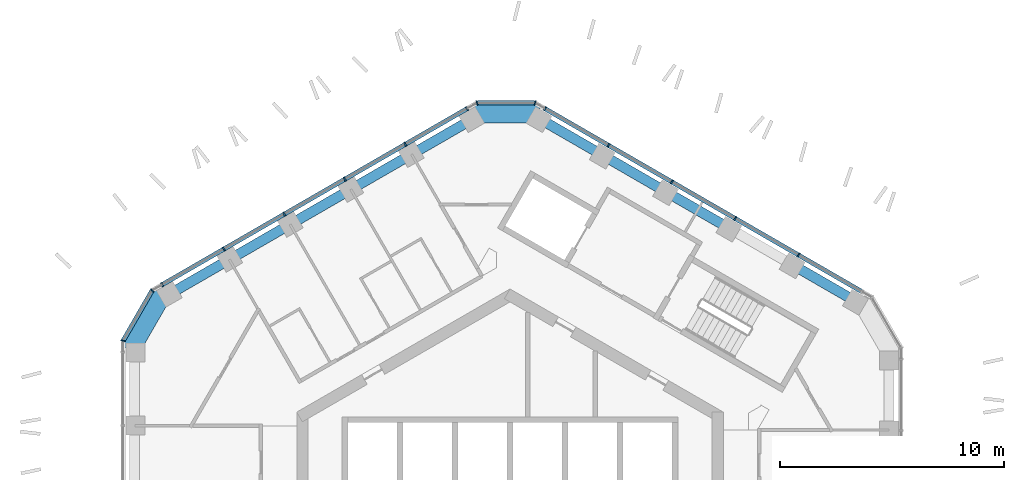
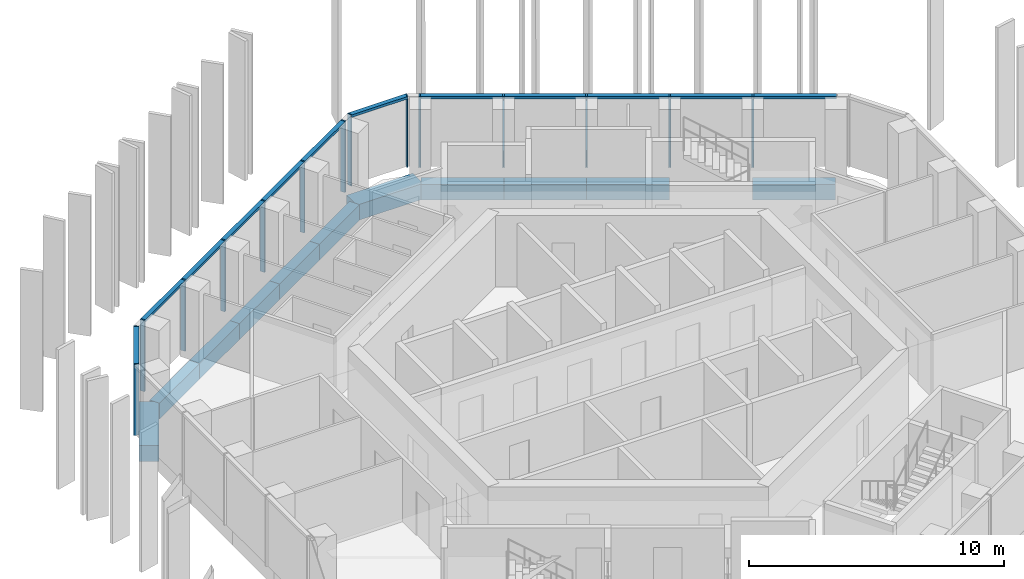
# One storey, part 5 of 18: 19 members, 11 beams, 4 elements without a shape of their own.
"""IFC4 building model written with IfcOpenShell, lengths in metres."""

from ifc_helpers import new_model, si_unit, direction, frame, origin, origin_2d, place, context, subcontext, project, spatial, rectangle, extrude, material, layer, layer_set, material_profile, profile_set, type_object, element, aggregate, save


model = new_model("IFC4")

# Units and contexts
model_context = context("Model", 3, precision=1e-05, world=origin(), true_north=direction((0.0, 1.0)))
body_context = subcontext(model_context, "Body", "Model", "MODEL_VIEW")
ifc_project = project(units=[si_unit("LENGTHUNIT", "METRE"), si_unit("AREAUNIT", "SQUARE_METRE"), si_unit("VOLUMEUNIT", "CUBIC_METRE"), si_unit("PLANEANGLEUNIT", "RADIAN"), si_unit("MASSUNIT", "GRAM", prefix="KILO")], contexts=[model_context])

# Site, building, storey
site_placement = place(None, origin())
site = spatial("IfcSite", under=ifc_project, at=site_placement, CompositionType="ELEMENT")
building_placement = place(site_placement, origin())
building = spatial("IfcBuilding", under=site, at=building_placement, Name="Ayvan Gate Tower", CompositionType="ELEMENT")
storey_placement = place(building_placement, frame((0.0, 0.0, 229.10009765625)))
storey = spatial("IfcBuildingStorey", under=building, at=storey_placement, Name="L61", CompositionType="ELEMENT", Elevation=229.10009765625)

# Beams
ifc_material_1 = material(Name="Concrete C40/50", Category="concrete")
ifc_material_profile_1 = material_profile(ifc_material_1, rectangle(XDim=0.800048828125, YDim=0.75, at=origin_2d()), Name="RC 800x750")
ifc_profile_set_1 = profile_set([ifc_material_profile_1], Name="Concrete C40/50")
beam_type_1 = type_object("IfcBeamType", Name="Corner spandrel beam RC 800x750 C40/50", PredefinedType="BEAM", material=ifc_profile_set_1)
for number, where, z_axis, x_axis, name in (
    (1, (1.334716796875, 18.758544921875, -0.72509765625), (-1.0, 0.0, 0.0), (0.0, -1.0, 0.0), "SB-L61-12"),
    (2, (-15.41259765625, 10.821533203125, -0.72509765625), (-0.499990139034, -0.866031096941, 0.0), (0.866031096941, -0.499990139034, 0.0), "SB-L61-18"),
):
    element("IfcBeam", number, at=place(storey_placement, frame(where, z_axis=z_axis, x_axis=x_axis)), inside=storey, type_object=beam_type_1, Name=name, PredefinedType="BEAM", context=body_context, shape_type="SweptSolid", body=[
        extrude(rectangle(XDim=0.800048828125, YDim=0.75, at=origin_2d()), origin(), (0.0, 0.0, 1.0), 3.0),
    ])
ifc_material_profile_2 = material_profile(ifc_material_1, rectangle(XDim=0.449951171875, YDim=0.75, at=origin_2d()), Name="RC 450x750")
ifc_profile_set_2 = profile_set([ifc_material_profile_2], Name="Concrete C40/50")
beam_type_2 = type_object("IfcBeamType", Name="Spandrel beam RC 450x750 C40/50", PredefinedType="BEAM", material=ifc_profile_set_2)
for number, where, z_axis, x_axis, name in (
    (3, (15.387451171875, 10.425048828125, -0.72509765625), (-0.866007692701, 0.500030675242, 0.0), (-0.500030675242, -0.866007692701, 0.0), "SB-L61-7"),
    (4, (9.766357421875, 13.67041015625, -0.72509765625), (-0.866007692701, 0.500030675242, 0.0), (-0.500030675242, -0.866007692701, 0.0), "SB-L61-9"),
    (5, (6.955810546875, 15.293212890625, -0.72509765625), (-0.866040267459, 0.499974254476, 0.0), (-0.499974254476, -0.866040267459, 0.0), "SB-L61-10"),
    (6, (4.145263671875, 16.915771484375, -0.72509765625), (-0.866007692701, 0.500030675242, 0.0), (-0.500030675242, -0.866007692701, 0.0), "SB-L61-11"),
):
    element("IfcBeam", number, at=place(storey_placement, frame(where, z_axis=z_axis, x_axis=x_axis)), inside=storey, type_object=beam_type_2, Name=name, PredefinedType="BEAM", context=body_context, shape_type="SweptSolid", body=[
        extrude(rectangle(XDim=0.449951171875, YDim=0.75, at=origin_2d()), origin(), (0.0, 0.0, 1.0), 3.245361328125),
    ])
for number, where, z_axis, x_axis, name in (
    (7, (-1.665283203125, 18.53857421875, -0.72509765625), (-0.866027162616, -0.499996953601, 0.0), (0.499996953601, -0.866027162616, 0.0), "SB-L61-13"),
    (8, (-4.376708984375, 16.97314453125, -0.72509765625), (-0.866027162616, -0.499996953601, 0.0), (0.499996953601, -0.866027162616, 0.0), "SB-L61-14"),
):
    element("IfcBeam", number, at=place(storey_placement, frame(where, z_axis=z_axis, x_axis=x_axis)), inside=storey, type_object=beam_type_2, Name=name, PredefinedType="BEAM", context=body_context, shape_type="SweptSolid", body=[
        extrude(rectangle(XDim=0.449951171875, YDim=0.75, at=origin_2d()), origin(), (0.0, 0.0, 1.0), 3.130859375),
    ])
beam_placement = place(storey_placement, frame((-7.088134765625, 15.40771484375, -0.72509765625), z_axis=(-0.8660076663, -0.500030720965, 0.0), x_axis=(0.500030720965, -0.8660076663, 0.0)))
element("IfcBeam", 9, at=beam_placement, inside=storey, type_object=beam_type_2, Name="SB-L61-15", PredefinedType="BEAM", context=body_context, shape_type="SweptSolid", body=[
    extrude(rectangle(XDim=0.449951171875, YDim=0.75, at=origin_2d()), origin(), (0.0, 0.0, 1.0), 3.130615234375),
])
for number, where, z_axis, x_axis, name in (
    (10, (-9.79931640625, 13.84228515625, -0.72509765625), (-0.866027162616, -0.499996953601, 0.0), (0.499996953601, -0.866027162616, 0.0), "SB-L61-16"),
    (11, (-12.5107421875, 12.27685546875, -0.72509765625), (-0.866027162616, -0.499996953601, 0.0), (0.499996953601, -0.866027162616, 0.0), "SB-L61-17"),
):
    element("IfcBeam", number, at=place(storey_placement, frame(where, z_axis=z_axis, x_axis=x_axis)), inside=storey, type_object=beam_type_2, Name=name, PredefinedType="BEAM", context=body_context, shape_type="SweptSolid", body=[
        extrude(rectangle(XDim=0.449951171875, YDim=0.75, at=origin_2d()), origin(), (0.0, 0.0, 1.0), 3.130859375),
    ])

# Curtain wall, members
ifc_material_2 = material(Name="Bronze anodised aluminium", Category="aluminium")
ifc_layer_1 = layer(ifc_material_2, 0.199951171875)
ifc_layer_set_1 = layer_set([ifc_layer_1], Name="Bronze anodised aluminium")
curtain_wall_type_1 = type_object("IfcCurtainWallType", Name="Stick curtain wall CW-2", PredefinedType="NOTDEFINED", material=ifc_layer_set_1)
curtain_wall_1_placement = place(storey_placement, origin())
curtain_wall_1 = element("IfcCurtainWall", 12, at=curtain_wall_1_placement, inside=storey, type_object=curtain_wall_type_1, Name="Stick curtain wall CW-2 L61", PredefinedType="NOTDEFINED")
ifc_material_profile_3 = material_profile(ifc_material_2, rectangle(XDim=0.199951171875, YDim=0.070068359375, at=origin_2d()), Name="Stick curtain wall CW-2 mullion 200 x 70")
ifc_profile_set_3 = profile_set([ifc_material_profile_3], Name="Bronze anodised aluminium")
member_type_1 = type_object("IfcMemberType", Name="Stick curtain wall CW-2 mullion 200 x 70", PredefinedType="MULLION", material=ifc_profile_set_3)
member_1_placement = place(storey_placement, frame((-1.910888671875, 19.0029296875, 0.0), z_axis=(0.0, 0.0, 1.0), x_axis=(-0.5, 0.866025403784, 0.0)))
member_1 = element("IfcMember", 13, at=member_1_placement, type_object=member_type_1, Name="CW-2 mullion 1", PredefinedType="MULLION", context=body_context, shape_type="SweptSolid", body=[
    extrude(rectangle(XDim=0.199951171875, YDim=0.070068359375, at=origin_2d()), origin(), (0.0, 0.0, 1.0), 3.39990234375),
])
member_2_placement = place(storey_placement, frame((-4.6650390625, 17.412841796875, 0.0), z_axis=(0.0, 0.0, 1.0), x_axis=(-0.5, 0.866025403784, 0.0)))
member_2 = element("IfcMember", 14, at=member_2_placement, type_object=member_type_1, Name="CW-2 mullion 2", PredefinedType="MULLION", context=body_context, shape_type="SweptSolid", body=[
    extrude(rectangle(XDim=0.199951171875, YDim=0.070068359375, at=origin_2d()), origin(), (0.0, 0.0, 1.0), 3.39990234375),
])
member_3_placement = place(storey_placement, frame((-7.359130859375, 15.857421875, 0.0), z_axis=(0.0, 0.0, 1.0), x_axis=(-0.5, 0.866025403784, 0.0)))
member_3 = element("IfcMember", 15, at=member_3_placement, type_object=member_type_1, Name="CW-2 mullion 3", PredefinedType="MULLION", context=body_context, shape_type="SweptSolid", body=[
    extrude(rectangle(XDim=0.199951171875, YDim=0.070068359375, at=origin_2d()), origin(), (0.0, 0.0, 1.0), 3.39990234375),
])
member_4_placement = place(storey_placement, frame((-10.053466796875, 14.302001953125, 0.0), z_axis=(0.0, 0.0, 1.0), x_axis=(-0.5, 0.866025403784, 0.0)))
member_4 = element("IfcMember", 16, at=member_4_placement, type_object=member_type_1, Name="CW-2 mullion 4", PredefinedType="MULLION", context=body_context, shape_type="SweptSolid", body=[
    extrude(rectangle(XDim=0.199951171875, YDim=0.070068359375, at=origin_2d()), origin(), (0.0, 0.0, 1.0), 3.39990234375),
])
member_5_placement = place(storey_placement, frame((-12.74755859375, 12.746337890625, 0.0), z_axis=(0.0, 0.0, 1.0), x_axis=(-0.5, 0.866025403784, 0.0)))
member_5 = element("IfcMember", 17, at=member_5_placement, type_object=member_type_1, Name="CW-2 mullion 5", PredefinedType="MULLION", context=body_context, shape_type="SweptSolid", body=[
    extrude(rectangle(XDim=0.199951171875, YDim=0.070068359375, at=origin_2d()), origin(), (0.0, 0.0, 1.0), 3.39990234375),
])
member_6_placement = place(storey_placement, frame((-15.50146484375, 11.156494140625, 0.0), z_axis=(0.0, 0.0, 1.0), x_axis=(-0.5, 0.866025403784, 0.0)))
member_6 = element("IfcMember", 18, at=member_6_placement, type_object=member_type_1, Name="CW-2 mullion 6", PredefinedType="MULLION", context=body_context, shape_type="SweptSolid", body=[
    extrude(rectangle(XDim=0.199951171875, YDim=0.070068359375, at=origin_2d()), origin(), (0.0, 0.0, 1.0), 3.39990234375),
])

curtain_wall_2_placement = place(storey_placement, origin())
curtain_wall_2 = element("IfcCurtainWall", 19, at=curtain_wall_2_placement, inside=storey, type_object=curtain_wall_type_1, Name="Stick curtain wall CW-2 L61", PredefinedType="NOTDEFINED")
member_7_placement = place(storey_placement, frame((12.845947265625, 12.484130859375, 0.0), z_axis=(0.0, 0.0, 1.0), x_axis=(0.5, 0.866025403784, 0.0)))
member_7 = element("IfcMember", 20, at=member_7_placement, type_object=member_type_1, Name="CW-2 mullion 2", PredefinedType="MULLION", context=body_context, shape_type="SweptSolid", body=[
    extrude(rectangle(XDim=0.199951171875, YDim=0.070068359375, at=origin_2d()), origin(), (0.0, 0.0, 1.0), 3.39990234375),
])
member_8_placement = place(storey_placement, frame((10.027099609375, 14.111572265625, 0.0), z_axis=(0.0, 0.0, 1.0), x_axis=(0.5, 0.866025403784, 0.0)))
member_8 = element("IfcMember", 21, at=member_8_placement, type_object=member_type_1, Name="CW-2 mullion 3", PredefinedType="MULLION", context=body_context, shape_type="SweptSolid", body=[
    extrude(rectangle(XDim=0.199951171875, YDim=0.070068359375, at=origin_2d()), origin(), (0.0, 0.0, 1.0), 3.39990234375),
])
member_9_placement = place(storey_placement, frame((7.2080078125, 15.739013671875, 0.0), z_axis=(0.0, 0.0, 1.0), x_axis=(0.5, 0.866025403784, 0.0)))
member_9 = element("IfcMember", 22, at=member_9_placement, type_object=member_type_1, Name="CW-2 mullion 4", PredefinedType="MULLION", context=body_context, shape_type="SweptSolid", body=[
    extrude(rectangle(XDim=0.199951171875, YDim=0.070068359375, at=origin_2d()), origin(), (0.0, 0.0, 1.0), 3.39990234375),
])
member_10_placement = place(storey_placement, frame((4.38818359375, 17.366943359375, 0.0), z_axis=(0.0, 0.0, 1.0), x_axis=(0.5, 0.866025403784, 0.0)))
member_10 = element("IfcMember", 23, at=member_10_placement, type_object=member_type_1, Name="CW-2 mullion 5", PredefinedType="MULLION", context=body_context, shape_type="SweptSolid", body=[
    extrude(rectangle(XDim=0.199951171875, YDim=0.070068359375, at=origin_2d()), origin(), (0.0, 0.0, 1.0), 3.39990234375),
])
member_11_placement = place(storey_placement, frame((1.554931640625, 19.0029296875, 0.0), z_axis=(0.0, 0.0, 1.0), x_axis=(0.5, 0.866025403784, 0.0)))
member_11 = element("IfcMember", 24, at=member_11_placement, type_object=member_type_1, Name="CW-2 mullion 6", PredefinedType="MULLION", context=body_context, shape_type="SweptSolid", body=[
    extrude(rectangle(XDim=0.199951171875, YDim=0.070068359375, at=origin_2d()), origin(), (0.0, 0.0, 1.0), 3.39990234375),
])

# Member
ifc_material_profile_4 = material_profile(ifc_material_2, rectangle(XDim=0.199951171875, YDim=0.1201171875, at=origin_2d()), Name="Stick curtain wall CW-2 transom 200 x 120")
ifc_profile_set_4 = profile_set([ifc_material_profile_4], Name="Bronze anodised aluminium")
member_type_2 = type_object("IfcMemberType", Name="Stick curtain wall CW-2 transom 200 x 120", PredefinedType="USERDEFINED", material=ifc_profile_set_4)
member_12_placement = place(storey_placement, frame((-1.910888671875, 19.0029296875, 3.33984375), z_axis=(-0.866027811637, -0.499995829454, 0.0), x_axis=(0.499995829454, -0.866027811637, 0.0)))
member_12 = element("IfcMember", 25, at=member_12_placement, type_object=member_type_2, Name="CW-2 transom 1", ObjectType="TRANSOM", PredefinedType="USERDEFINED", context=body_context, shape_type="SweptSolid", body=[
    extrude(rectangle(XDim=0.199951171875, YDim=0.1201171875, at=origin_2d()), origin(), (0.0, 0.0, 1.0), 15.693115234375),
])

aggregate(curtain_wall_1, [member_1, member_2, member_3, member_4, member_5, member_6, member_12])

member_13_placement = place(storey_placement, frame((15.679443359375, 10.84814453125, 3.33984375), z_axis=(-0.866025549455, 0.499999747691, 0.0), x_axis=(-0.499999747691, -0.866025549455, 0.0)))
member_13 = element("IfcMember", 26, at=member_13_placement, type_object=member_type_2, Name="CW-2 transom 1", ObjectType="TRANSOM", PredefinedType="USERDEFINED", context=body_context, shape_type="SweptSolid", body=[
    extrude(rectangle(XDim=0.199951171875, YDim=0.1201171875, at=origin_2d()), origin(), (0.0, 0.0, 1.0), 16.3095703125),
])

aggregate(curtain_wall_2, [member_7, member_8, member_9, member_10, member_11, member_13])

# Curtain wall, members
ifc_layer_2 = layer(ifc_material_2, 0.199951171875)
ifc_layer_set_2 = layer_set([ifc_layer_2], Name="Bronze anodised aluminium")
curtain_wall_type_2 = type_object("IfcCurtainWallType", Name="Stick curtain wall CW-6", PredefinedType="NOTDEFINED", material=ifc_layer_set_2)
curtain_wall_3_placement = place(storey_placement, origin())
curtain_wall_3 = element("IfcCurtainWall", 27, at=curtain_wall_3_placement, inside=storey, type_object=curtain_wall_type_2, Name="Stick curtain wall CW-6 L61", PredefinedType="NOTDEFINED")
ifc_material_profile_5 = material_profile(ifc_material_2, rectangle(XDim=0.199951171875, YDim=0.050048828125, at=origin_2d()), Name="Stick curtain wall CW-6 mullion 200 x 50")
ifc_profile_set_5 = profile_set([ifc_material_profile_5], Name="Bronze anodised aluminium")
member_type_3 = type_object("IfcMemberType", Name="Stick curtain wall CW-6 mullion 200 x 50", PredefinedType="MULLION", material=ifc_profile_set_5)
member_14_placement = place(storey_placement, frame((-15.943115234375, 10.9013671875, 0.0), z_axis=(0.0, 0.0, 1.0), x_axis=(-0.707106781187, 0.707106781187, 0.0)))
member_14 = element("IfcMember", 28, at=member_14_placement, type_object=member_type_3, Name="CW-6 mullion 2", PredefinedType="MULLION", context=body_context, shape_type="SweptSolid", body=[
    extrude(rectangle(XDim=0.199951171875, YDim=0.050048828125, at=origin_2d()), origin(), (0.0, 0.0, 1.0), 3.39990234375),
])
member_15_placement = place(storey_placement, frame((-17.234375, 8.664794921875, 0.0), z_axis=(0.0, 0.0, 1.0), x_axis=(-0.965925826289, 0.258819045103, 0.0)))
member_15 = element("IfcMember", 29, at=member_15_placement, type_object=member_type_3, Name="CW-6 mullion 3", PredefinedType="MULLION", context=body_context, shape_type="SweptSolid", body=[
    extrude(rectangle(XDim=0.199951171875, YDim=0.050048828125, at=origin_2d()), origin(), (0.0, 0.0, 1.0), 3.39990234375),
])

curtain_wall_4_placement = place(storey_placement, origin())
curtain_wall_4 = element("IfcCurtainWall", 30, at=curtain_wall_4_placement, inside=storey, type_object=curtain_wall_type_2, Name="Stick curtain wall CW-6 L61", PredefinedType="NOTDEFINED")
member_16_placement = place(storey_placement, frame((1.11328125, 19.2578125, 0.0), z_axis=(0.0, 0.0, 1.0), x_axis=(0.258819045103, 0.965925826289, 0.0)))
member_16 = element("IfcMember", 31, at=member_16_placement, type_object=member_type_3, Name="CW-6 mullion 2", PredefinedType="MULLION", context=body_context, shape_type="SweptSolid", body=[
    extrude(rectangle(XDim=0.199951171875, YDim=0.050048828125, at=origin_2d()), origin(), (0.0, 0.0, 1.0), 3.39990234375),
])
member_17_placement = place(storey_placement, frame((-1.46923828125, 19.2578125, 0.0), z_axis=(0.0, 0.0, 1.0), x_axis=(-0.258819045103, 0.965925826289, 0.0)))
member_17 = element("IfcMember", 32, at=member_17_placement, type_object=member_type_3, Name="CW-6 mullion 3", PredefinedType="MULLION", context=body_context, shape_type="SweptSolid", body=[
    extrude(rectangle(XDim=0.199951171875, YDim=0.050048828125, at=origin_2d()), origin(), (0.0, 0.0, 1.0), 3.39990234375),
])

# Member
ifc_material_profile_6 = material_profile(ifc_material_2, rectangle(XDim=0.199951171875, YDim=0.1201171875, at=origin_2d()), Name="Stick curtain wall CW-6 transom 200 x 120")
ifc_profile_set_6 = profile_set([ifc_material_profile_6], Name="Bronze anodised aluminium")
member_type_4 = type_object("IfcMemberType", Name="Stick curtain wall CW-6 transom 200 x 120", PredefinedType="USERDEFINED", material=ifc_profile_set_6)
member_18_placement = place(storey_placement, frame((-15.95556640625, 10.8798828125, 3.33984375), z_axis=(-0.500006158363, -0.866021848223, 0.0), x_axis=(0.866021848223, -0.500006158363, 0.0)))
member_18 = element("IfcMember", 33, at=member_18_placement, type_object=member_type_4, Name="CW-6 transom 2", ObjectType="TRANSOM", PredefinedType="USERDEFINED", context=body_context, shape_type="SweptSolid", body=[
    extrude(rectangle(XDim=0.199951171875, YDim=0.1201171875, at=origin_2d()), origin(), (0.0, 0.0, 1.0), 2.53271484375),
])

aggregate(curtain_wall_3, [member_14, member_15, member_18])

member_19_placement = place(storey_placement, frame((1.088134765625, 19.2578125, 3.33984375), z_axis=(-1.0, 0.0, 0.0), x_axis=(0.0, -1.0, 0.0)))
member_19 = element("IfcMember", 34, at=member_19_placement, type_object=member_type_4, Name="CW-6 transom 2", ObjectType="TRANSOM", PredefinedType="USERDEFINED", context=body_context, shape_type="SweptSolid", body=[
    extrude(rectangle(XDim=0.199951171875, YDim=0.1201171875, at=origin_2d()), origin(), (0.0, 0.0, 1.0), 2.532470703125),
])

aggregate(curtain_wall_4, [member_16, member_17, member_19])

save(model, "model.ifc")
